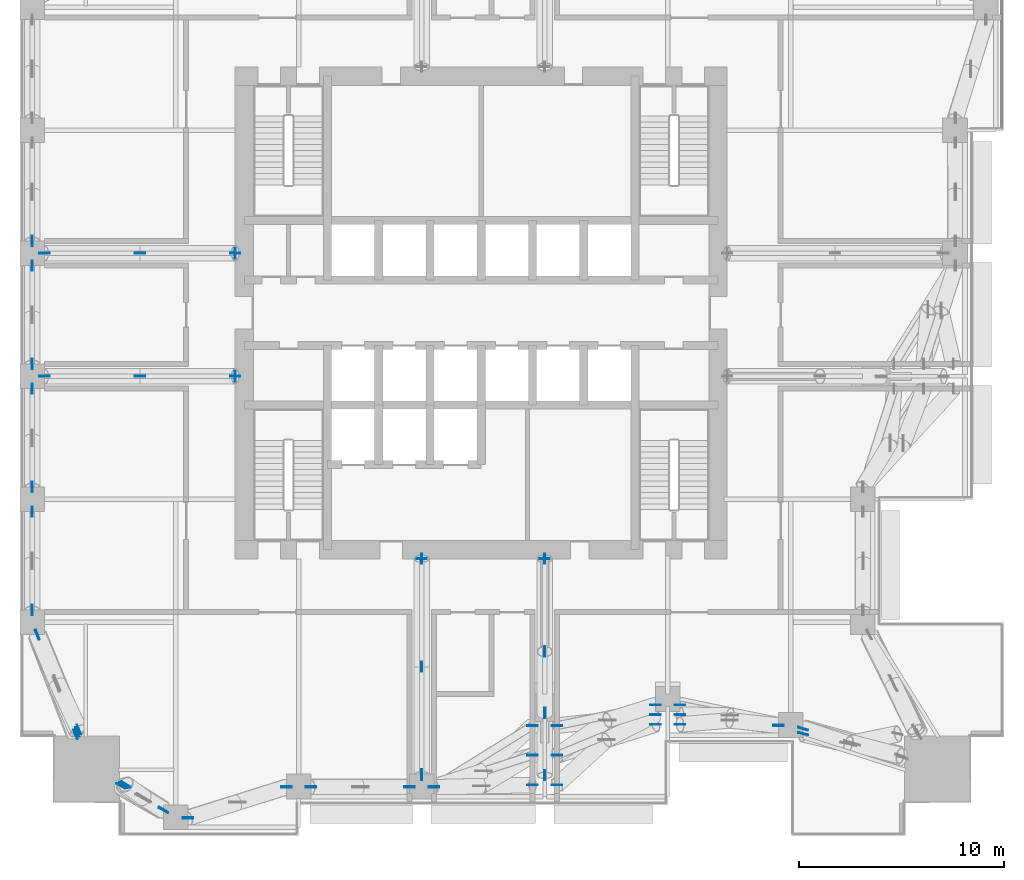
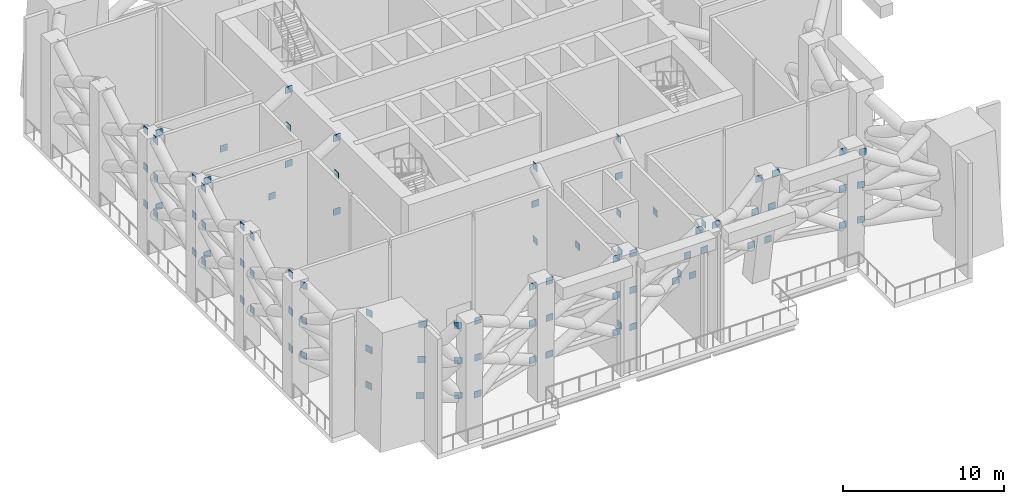
# One storey, part 12 of 18: 90 discrete accessories.
"""IFC4 building model written with IfcOpenShell, lengths in metres."""

from ifc_helpers import new_model, si_unit, direction, frame, origin, origin_2d, place, context, subcontext, project, spatial, rectangle, extrude, element, save


model = new_model("IFC4")

# Units and contexts
model_context = context("Model", 3, precision=1e-05, world=origin(), true_north=direction((0.0, 1.0)))
body_context = subcontext(model_context, "Body", "Model", "MODEL_VIEW")
ifc_project = project(units=[si_unit("LENGTHUNIT", "METRE"), si_unit("AREAUNIT", "SQUARE_METRE"), si_unit("VOLUMEUNIT", "CUBIC_METRE"), si_unit("PLANEANGLEUNIT", "RADIAN"), si_unit("MASSUNIT", "GRAM", prefix="KILO")], contexts=[model_context])

# Site, building, storey
site_placement = place(None, origin())
site = spatial("IfcSite", under=ifc_project, at=site_placement, CompositionType="ELEMENT")
building_placement = place(site_placement, origin())
building = spatial("IfcBuilding", under=site, at=building_placement, Name="Amberfall Residences", CompositionType="ELEMENT")
storey_placement = place(building_placement, frame((0.0, 0.0, 69.699951171875)))
storey = spatial("IfcBuildingStorey", under=building, at=storey_placement, Name="L19", CompositionType="ELEMENT", Elevation=69.699951171875)

# Discrete accessories
discrete_accessory_1_placement = place(storey_placement, frame((71.60009765625, 33.5, 5.449951171875), z_axis=(0.0, 0.0, 1.0), x_axis=(0.0, 1.0, 0.0)))
element("IfcDiscreteAccessory", 1, at=discrete_accessory_1_placement, inside=storey, Name="Cast-in plate L19", PredefinedType="BRACKET", context=body_context, shape_type="SweptSolid", body=[
    extrude(rectangle(XDim=0.0400390625, YDim=0.5, at=origin_2d()), origin(), (0.0, 0.0, 1.0), 0.5),
])
for number, where, z_axis, x_axis, name in (
    (2, (71.60009765625, 22.982666015625, 2.650146484375), (0.0, 0.0, 1.0), (0.0, 1.0, 0.0), "Connection plate L19"),
    (3, (71.60009765625, 28.2333984375, 5.449951171875), (0.0, 0.0, 1.0), (0.0, 1.0, 0.0), "Connection plate L19"),
    (4, (71.60009765625, 33.5, 2.650146484375), (0.0, 0.0, 1.0), (0.0, 1.0, 0.0), "Connection plate L19"),
    (5, (71.60009765625, 22.951416015625, 8.25), (0.0, 0.0, 1.0), (0.0, 1.0, 0.0), "Connection plate L19"),
    (6, (71.60009765625, 33.5, 8.25), (0.0, 0.0, 1.0), (0.0, 1.0, 0.0), "Connection plate L19"),
):
    element("IfcDiscreteAccessory", number, at=place(storey_placement, frame(where, z_axis=z_axis, x_axis=x_axis)), inside=storey, Name=name, PredefinedType="BRACKET", context=body_context, shape_type="SweptSolid", body=[
        extrude(rectangle(XDim=0.5, YDim=0.0400390625, at=origin_2d()), origin(), (0.0, 0.0, 1.0), 0.5),
    ])
discrete_accessory_2_placement = place(storey_placement, frame((77.60009765625, 33.5, 5.449951171875), z_axis=(0.0, 0.0, 1.0), x_axis=(0.0, 1.0, 0.0)))
element("IfcDiscreteAccessory", 7, at=discrete_accessory_2_placement, inside=storey, Name="Cast-in plate L19", PredefinedType="BRACKET", context=body_context, shape_type="SweptSolid", body=[
    extrude(rectangle(XDim=0.0400390625, YDim=0.5, at=origin_2d()), origin(), (0.0, 0.0, 1.0), 0.5),
])
for number, where, z_axis, x_axis, name in (
    (8, (77.60009765625, 25.9619140625, 2.650146484375), (0.0, 0.0, 1.0), (0.0, 1.0, 0.0), "Connection plate L19"),
    (9, (77.60009765625, 28.974609375, 5.449951171875), (0.0, 0.0, 1.0), (0.0, 1.0, 0.0), "Connection plate L19"),
    (10, (77.60009765625, 33.5, 2.650146484375), (0.0, 0.0, 1.0), (0.0, 1.0, 0.0), "Connection plate L19"),
    (11, (77.60009765625, 22.936767578125, 8.25), (0.0, 0.0, 1.0), (0.0, 1.0, 0.0), "Connection plate L19"),
    (12, (77.60009765625, 33.5, 8.25), (0.0, 0.0, 1.0), (0.0, 1.0, 0.0), "Connection plate L19"),
):
    element("IfcDiscreteAccessory", number, at=place(storey_placement, frame(where, z_axis=z_axis, x_axis=x_axis)), inside=storey, Name=name, PredefinedType="BRACKET", context=body_context, shape_type="SweptSolid", body=[
        extrude(rectangle(XDim=0.5, YDim=0.0400390625, at=origin_2d()), origin(), (0.0, 0.0, 1.0), 0.5),
    ])
discrete_accessory_3_placement = place(storey_placement, frame((62.5, 42.39990234375, 5.449951171875), z_axis=(0.0, 0.0, 1.0), x_axis=(1.0, 0.0, 0.0)))
element("IfcDiscreteAccessory", 13, at=discrete_accessory_3_placement, inside=storey, Name="Cast-in plate L19", PredefinedType="BRACKET", context=body_context, shape_type="SweptSolid", body=[
    extrude(rectangle(XDim=0.0400390625, YDim=0.5, at=origin_2d()), origin(), (0.0, 0.0, 1.0), 0.5),
])
for number, where, z_axis, x_axis, name in (
    (14, (53.199951171875, 42.39990234375, 2.650146484375), (0.0, 0.0, 1.0), (1.0, 0.0, 0.0), "Connection plate L19"),
    (15, (57.85009765625, 42.39990234375, 5.449951171875), (0.0, 0.0, 1.0), (1.0, 0.0, 0.0), "Connection plate L19"),
    (16, (62.5, 42.39990234375, 2.650146484375), (0.0, 0.0, 1.0), (1.0, 0.0, 0.0), "Connection plate L19"),
    (17, (53.199951171875, 42.39990234375, 8.25), (0.0, 0.0, 1.0), (1.0, 0.0, 0.0), "Connection plate L19"),
    (18, (62.5, 42.39990234375, 8.25), (0.0, 0.0, 1.0), (1.0, 0.0, 0.0), "Connection plate L19"),
):
    element("IfcDiscreteAccessory", number, at=place(storey_placement, frame(where, z_axis=z_axis, x_axis=x_axis)), inside=storey, Name=name, PredefinedType="BRACKET", context=body_context, shape_type="SweptSolid", body=[
        extrude(rectangle(XDim=0.5, YDim=0.0400390625, at=origin_2d()), origin(), (0.0, 0.0, 1.0), 0.5),
    ])
discrete_accessory_4_placement = place(storey_placement, frame((62.5, 48.39990234375, 5.449951171875), z_axis=(0.0, 0.0, 1.0), x_axis=(1.0, 0.0, 0.0)))
element("IfcDiscreteAccessory", 19, at=discrete_accessory_4_placement, inside=storey, Name="Cast-in plate L19", PredefinedType="BRACKET", context=body_context, shape_type="SweptSolid", body=[
    extrude(rectangle(XDim=0.0400390625, YDim=0.5, at=origin_2d()), origin(), (0.0, 0.0, 1.0), 0.5),
])
for number, where, z_axis, x_axis, name in (
    (20, (53.199951171875, 48.39990234375, 2.650146484375), (0.0, 0.0, 1.0), (1.0, 0.0, 0.0), "Connection plate L19"),
    (21, (57.85009765625, 48.39990234375, 5.449951171875), (0.0, 0.0, 1.0), (1.0, 0.0, 0.0), "Connection plate L19"),
    (22, (62.5, 48.39990234375, 2.650146484375), (0.0, 0.0, 1.0), (1.0, 0.0, 0.0), "Connection plate L19"),
    (23, (53.199951171875, 48.39990234375, 8.25), (0.0, 0.0, 1.0), (1.0, 0.0, 0.0), "Connection plate L19"),
    (24, (62.5, 48.39990234375, 8.25), (0.0, 0.0, 1.0), (1.0, 0.0, 0.0), "Connection plate L19"),
    (25, (60.199951171875, 20.882568359375, 2.650146484375), (0.0, 0.0, 1.0), (1.0, 0.0, 0.0), "Connection plate L19"),
    (26, (65.0, 22.36767578125, 5.449951171875), (0.0, 0.0, 1.0), (1.0, 0.0, 0.0), "Connection plate L19"),
    (27, (60.199951171875, 20.86767578125, 5.449951171875), (0.0, 0.0, 1.0), (1.0, 0.0, 0.0), "Connection plate L19"),
    (28, (65.0, 22.382568359375, 2.650146484375), (0.0, 0.0, 1.0), (1.0, 0.0, 0.0), "Connection plate L19"),
    (29, (65.0, 22.352783203125, 8.25), (0.0, 0.0, 1.0), (1.0, 0.0, 0.0), "Connection plate L19"),
    (30, (60.199951171875, 20.852783203125, 8.25), (0.0, 0.0, 1.0), (1.0, 0.0, 0.0), "Connection plate L19"),
    (31, (66.199951171875, 22.382568359375, 2.650146484375), (0.0, 0.0, 1.0), (1.0, 0.0, 0.0), "Connection plate L19"),
    (32, (71.0, 22.36767578125, 5.449951171875), (0.0, 0.0, 1.0), (1.0, 0.0, 0.0), "Connection plate L19"),
    (33, (66.199951171875, 22.36767578125, 5.449951171875), (0.0, 0.0, 1.0), (1.0, 0.0, 0.0), "Connection plate L19"),
    (34, (71.0, 22.382568359375, 2.650146484375), (0.0, 0.0, 1.0), (1.0, 0.0, 0.0), "Connection plate L19"),
    (35, (71.0, 22.352783203125, 8.25), (0.0, 0.0, 1.0), (1.0, 0.0, 0.0), "Connection plate L19"),
    (36, (66.199951171875, 22.352783203125, 8.25), (0.0, 0.0, 1.0), (1.0, 0.0, 0.0), "Connection plate L19"),
    (37, (72.199951171875, 22.382568359375, 2.650146484375), (0.0, 0.0, 1.0), (1.0, 0.0, 0.0), "Connection plate L19"),
    (38, (77.0, 23.9140625, 5.449951171875), (0.0, 0.0, 1.0), (1.0, 0.0, 0.0), "Connection plate L19"),
    (39, (72.199951171875, 22.36767578125, 5.449951171875), (0.0, 0.0, 1.0), (1.0, 0.0, 0.0), "Connection plate L19"),
    (40, (77.0, 25.36181640625, 2.650146484375), (0.0, 0.0, 1.0), (1.0, 0.0, 0.0), "Connection plate L19"),
    (41, (77.0, 22.466064453125, 8.25), (0.0, 0.0, 1.0), (1.0, 0.0, 0.0), "Connection plate L19"),
    (42, (72.199951171875, 22.352783203125, 8.25), (0.0, 0.0, 1.0), (1.0, 0.0, 0.0), "Connection plate L19"),
    (43, (78.199951171875, 25.36181640625, 2.650146484375), (0.0, 0.0, 1.0), (1.0, 0.0, 0.0), "Connection plate L19"),
    (44, (83.0, 25.89208984375, 5.449951171875), (0.0, 0.0, 1.0), (1.0, 0.0, 0.0), "Connection plate L19"),
    (45, (78.199951171875, 23.9140625, 5.449951171875), (0.0, 0.0, 1.0), (1.0, 0.0, 0.0), "Connection plate L19"),
    (46, (83.0, 26.366455078125, 2.650146484375), (0.0, 0.0, 1.0), (1.0, 0.0, 0.0), "Connection plate L19"),
    (47, (83.0, 25.417724609375, 8.25), (0.0, 0.0, 1.0), (1.0, 0.0, 0.0), "Connection plate L19"),
    (48, (78.199951171875, 22.466064453125, 8.25), (0.0, 0.0, 1.0), (1.0, 0.0, 0.0), "Connection plate L19"),
    (49, (84.199951171875, 26.366455078125, 2.650146484375), (0.0, 0.0, 1.0), (1.0, 0.0, 0.0), "Connection plate L19"),
    (50, (89.0, 25.36767578125, 5.449951171875), (0.0, 0.0, 1.0), (1.0, 0.0, 0.0), "Connection plate L19"),
    (51, (84.199951171875, 25.89208984375, 5.449951171875), (0.0, 0.0, 1.0), (1.0, 0.0, 0.0), "Connection plate L19"),
    (52, (89.0, 25.382568359375, 2.650146484375), (0.0, 0.0, 1.0), (1.0, 0.0, 0.0), "Connection plate L19"),
    (53, (89.0, 25.352783203125, 8.25), (0.0, 0.0, 1.0), (1.0, 0.0, 0.0), "Connection plate L19"),
    (54, (84.199951171875, 25.417724609375, 8.25), (0.0, 0.0, 1.0), (1.0, 0.0, 0.0), "Connection plate L19"),
    (55, (52.60009765625, 31.0, 2.650146484375), (0.0, 0.0, 1.0), (0.0, 1.0, 0.0), "Connection plate L19"),
    (56, (52.60009765625, 35.800048828125, 5.449951171875), (0.0, 0.0, 1.0), (0.0, 1.0, 0.0), "Connection plate L19"),
    (57, (52.60009765625, 31.0, 5.449951171875), (0.0, 0.0, 1.0), (0.0, 1.0, 0.0), "Connection plate L19"),
    (58, (52.60009765625, 35.800048828125, 2.650146484375), (0.0, 0.0, 1.0), (0.0, 1.0, 0.0), "Connection plate L19"),
    (59, (52.60009765625, 35.800048828125, 8.25), (0.0, 0.0, 1.0), (0.0, 1.0, 0.0), "Connection plate L19"),
    (60, (52.60009765625, 31.0, 8.25), (0.0, 0.0, 1.0), (0.0, 1.0, 0.0), "Connection plate L19"),
    (61, (52.60009765625, 37.0, 2.650146484375), (0.0, 0.0, 1.0), (0.0, 1.0, 0.0), "Connection plate L19"),
    (62, (52.60009765625, 41.800048828125, 5.449951171875), (0.0, 0.0, 1.0), (0.0, 1.0, 0.0), "Connection plate L19"),
    (63, (52.60009765625, 37.0, 5.449951171875), (0.0, 0.0, 1.0), (0.0, 1.0, 0.0), "Connection plate L19"),
    (64, (52.60009765625, 41.800048828125, 2.650146484375), (0.0, 0.0, 1.0), (0.0, 1.0, 0.0), "Connection plate L19"),
    (65, (52.60009765625, 41.800048828125, 8.25), (0.0, 0.0, 1.0), (0.0, 1.0, 0.0), "Connection plate L19"),
    (66, (52.60009765625, 37.0, 8.25), (0.0, 0.0, 1.0), (0.0, 1.0, 0.0), "Connection plate L19"),
    (67, (52.60009765625, 43.0, 2.650146484375), (0.0, 0.0, 1.0), (0.0, 1.0, 0.0), "Connection plate L19"),
    (68, (52.60009765625, 47.800048828125, 5.449951171875), (0.0, 0.0, 1.0), (0.0, 1.0, 0.0), "Connection plate L19"),
    (69, (52.60009765625, 43.0, 5.449951171875), (0.0, 0.0, 1.0), (0.0, 1.0, 0.0), "Connection plate L19"),
    (70, (52.60009765625, 47.800048828125, 2.650146484375), (0.0, 0.0, 1.0), (0.0, 1.0, 0.0), "Connection plate L19"),
    (71, (52.60009765625, 47.800048828125, 8.25), (0.0, 0.0, 1.0), (0.0, 1.0, 0.0), "Connection plate L19"),
    (72, (52.60009765625, 43.0, 8.25), (0.0, 0.0, 1.0), (0.0, 1.0, 0.0), "Connection plate L19"),
    (73, (52.60009765625, 49.0, 2.650146484375), (0.0, 0.0, 1.0), (0.0, 1.0, 0.0), "Connection plate L19"),
    (74, (52.60009765625, 49.0, 5.449951171875), (0.0, 0.0, 1.0), (0.0, 1.0, 0.0), "Connection plate L19"),
    (75, (52.60009765625, 49.0, 8.25), (0.0, 0.0, 1.0), (0.0, 1.0, 0.0), "Connection plate L19"),
    (76, (90.199951171875, 25.202392578125, 5.396484375), (0.0, 0.0, 1.0), (-0.960677448497, 0.27766677862, 0.0), "Connection plate L19"),
    (77, (90.199951171875, 25.2080078125, 2.75), (0.0, 0.0, 1.0), (-0.960677448497, 0.27766677862, 0.0), "Connection plate L19"),
    (78, (90.199951171875, 24.96484375, 8.04296875), (0.0, 0.0, 1.0), (-0.975488478069, 0.220050515007, 0.0), "Connection plate L19"),
    (79, (56.931884765625, 22.412841796875, 2.75), (0.0, 0.0, 1.0), (0.870218151407, -0.492666590061, 0.0), "Connection plate L19"),
    (80, (59.0, 21.241943359375, 5.396484375), (0.0, 0.0, 1.0), (0.870218151407, -0.492666590061, 0.0), "Connection plate L19"),
    (81, (57.05322265625, 22.455078125, 5.396484375), (0.0, 0.0, 1.0), (0.870218151407, -0.492666590061, 0.0), "Connection plate L19"),
    (82, (59.0, 21.226318359375, 2.75), (0.0, 0.0, 1.0), (0.870218151407, -0.492666590061, 0.0), "Connection plate L19"),
    (83, (59.0, 21.2587890625, 8.04296875), (0.0, 0.0, 1.0), (0.852001175756, -0.523539870984, 0.0), "Connection plate L19"),
    (84, (57.1728515625, 22.4921875, 8.04296875), (0.0, 0.0, 1.0), (0.852001175756, -0.523539870984, 0.0), "Connection plate L19"),
    (85, (54.71240234375, 24.93212890625, 2.75), (0.0, 0.0, 1.0), (-0.357944267303, 0.933742952587, 0.0), "Connection plate L19"),
    (86, (52.846435546875, 29.800048828125, 5.396484375), (0.0, 0.0, 1.0), (-0.357944267303, 0.933742952587, 0.0), "Connection plate L19"),
    (87, (54.79541015625, 25.0537109375, 5.396484375), (0.0, 0.0, 1.0), (-0.357944267303, 0.933742952587, 0.0), "Connection plate L19"),
    (88, (52.831787109375, 29.800048828125, 2.75), (0.0, 0.0, 1.0), (-0.357944267303, 0.933742952587, 0.0), "Connection plate L19"),
    (89, (52.861083984375, 29.800048828125, 8.04296875), (0.0, 0.0, 1.0), (-0.377372113226, 0.926061708613, 0.0), "Connection plate L19"),
    (90, (54.875244140625, 25.173095703125, 8.04296875), (0.0, 0.0, 1.0), (-0.377372113226, 0.926061708613, 0.0), "Connection plate L19"),
):
    element("IfcDiscreteAccessory", number, at=place(storey_placement, frame(where, z_axis=z_axis, x_axis=x_axis)), inside=storey, Name=name, PredefinedType="BRACKET", context=body_context, shape_type="SweptSolid", body=[
        extrude(rectangle(XDim=0.5, YDim=0.0400390625, at=origin_2d()), origin(), (0.0, 0.0, 1.0), 0.5),
    ])

save(model, "model.ifc")
